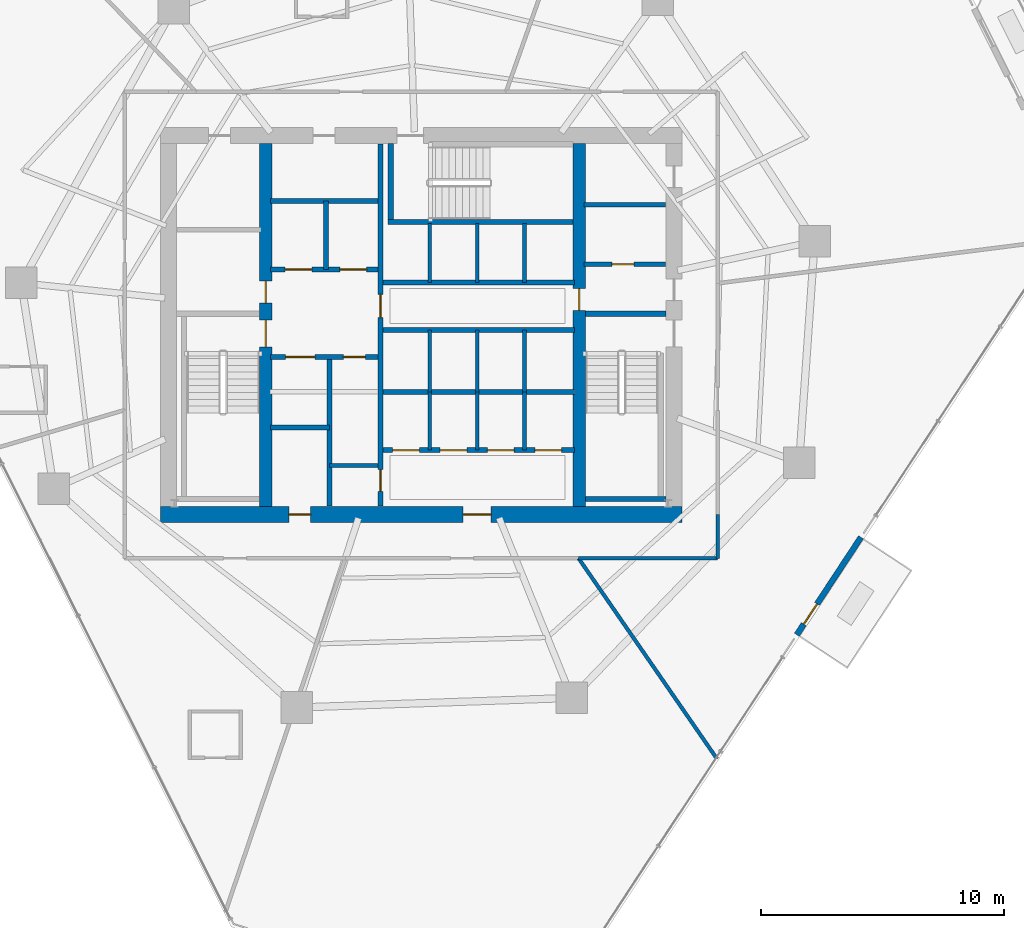
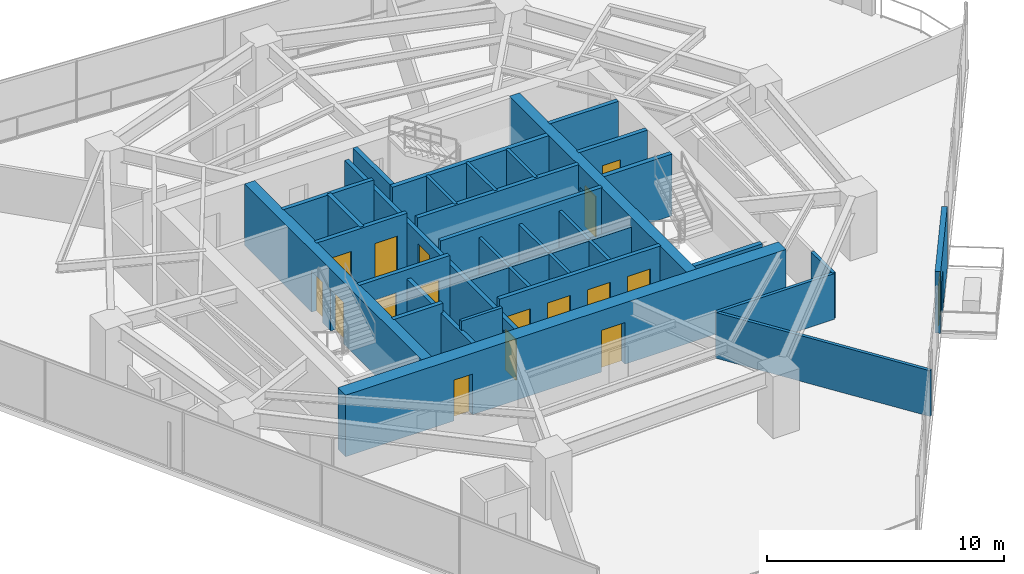
# One storey, part 24 of 28: 34 walls, 17 doors, 17 openings.
"""IFC4 building model written with IfcOpenShell, lengths in metres."""

from ifc_helpers import new_model, si_unit, direction, frame, frame_2d, origin, place, context, subcontext, project, spatial, rectangle, extrude, material, layer, layer_set, type_object, element, fill, save


model = new_model("IFC4")

# Units and contexts
model_context = context("Model", 3, precision=1e-05, world=origin(), true_north=direction((0.0, 1.0)))
body_context = subcontext(model_context, "Body", "Model", "MODEL_VIEW")
ifc_project = project(units=[si_unit("LENGTHUNIT", "METRE"), si_unit("AREAUNIT", "SQUARE_METRE"), si_unit("VOLUMEUNIT", "CUBIC_METRE"), si_unit("PLANEANGLEUNIT", "RADIAN"), si_unit("MASSUNIT", "GRAM", prefix="KILO")], contexts=[model_context])

# Site, building, storey
site_placement = place(None, origin())
site = spatial("IfcSite", under=ifc_project, at=site_placement, CompositionType="ELEMENT")
building_placement = place(site_placement, origin())
building = spatial("IfcBuilding", under=site, at=building_placement, Name="Qarnah Convention Tower", CompositionType="ELEMENT")
storey_placement = place(building_placement, frame((0.0, 0.0, 54.60009765625)))
storey = spatial("IfcBuildingStorey", under=building, at=storey_placement, Name="L13", CompositionType="ELEMENT", Elevation=54.60009765625)

# Wall, openings, doors
ifc_material_1 = material(Name="Concrete C60/75", Category="concrete")
ifc_layer_1 = layer(ifc_material_1, 0.64990234375)
ifc_layer_set_1 = layer_set([ifc_layer_1], Name="Concrete C60/75")
wall_type_1 = type_object("IfcWallType", Name="WL-CORE-650", PredefinedType="SHEAR", material=ifc_layer_set_1)
wall_1_placement = place(storey_placement, frame((26.47509765625, 18.60009765625, 0.0), z_axis=(0.0, 0.0, 1.0), x_axis=(1.0, 0.0, 0.0)))
wall_1 = element("IfcWall", 1, at=wall_1_placement, inside=storey, type_object=wall_type_1, Name="L13 core south shear wall", PredefinedType="SHEAR", context=body_context, shape_type="SweptSolid", body=[
    extrude(rectangle(XDim=21.449951171875, YDim=0.64990234375, at=frame_2d((10.72509765625, 0.0))), origin(), (0.0, 0.0, 1.0), 3.169921875),
])
opening_1_placement = place(wall_1_placement, frame((12.449951171875, 0.0, 0.0)))
opening_1 = element("IfcOpeningElement", 2, at=opening_1_placement, cuts=wall_1, Name="Opening D-1307", PredefinedType="OPENING", context=body_context, shape_type="SweptSolid", body=[
    extrude(rectangle(XDim=1.14990234375, YDim=2.14990234375, at=frame_2d((0.574951171875, 1.074951171875))), frame((0.0, 0.3349609375, 0.0), z_axis=(0.0, -1.0, 0.0), x_axis=(1.0, 0.0, 0.0)), (0.0, 0.0, 1.0), 0.669921875),
])
opening_2_placement = place(wall_1_placement, frame((5.27490234375, 0.0, 0.0)))
opening_2 = element("IfcOpeningElement", 3, at=opening_2_placement, cuts=wall_1, Name="Opening D-1313", PredefinedType="OPENING", context=body_context, shape_type="SweptSolid", body=[
    extrude(rectangle(XDim=0.89990234375, YDim=2.10009765625, at=frame_2d((0.449951171875, 1.050048828125))), frame((0.0, 0.3349609375, 0.0), z_axis=(0.0, -1.0, 0.0), x_axis=(1.0, 0.0, 0.0)), (0.0, 0.0, 1.0), 0.669921875),
])
ifc_material_2 = material(Name="Structural steel S355JR", Category="steel")
door_type_1 = type_object("IfcDoorType", Name="DT-LOBBY-1150", OperationType="NOTDEFINED", PredefinedType="DOOR", material=ifc_material_2)
door_1_placement = place(opening_1_placement, origin())
door_1 = element("IfcDoor", 4, at=door_1_placement, inside=storey, type_object=door_type_1, Name="Door D-1307", OperationType="SINGLE_SWING_LEFT", OverallHeight=2.14990234375, OverallWidth=1.14990234375, PredefinedType="DOOR", context=body_context, shape_type="SweptSolid", body=[
    extrude(rectangle(XDim=1.14990234375, YDim=2.14990234375, at=frame_2d((0.574951171875, 1.074951171875))), frame((0.0, 0.02490234375, 0.0), z_axis=(0.0, -1.0, 0.0), x_axis=(1.0, 0.0, 0.0)), (0.0, 0.0, 1.0), 0.050048828125),
])
fill(opening_1, door_1)
door_type_2 = type_object("IfcDoorType", Name="DT-RISER-900", OperationType="NOTDEFINED", PredefinedType="DOOR", material=ifc_material_2)
door_2_placement = place(opening_2_placement, origin())
door_2 = element("IfcDoor", 5, at=door_2_placement, inside=storey, type_object=door_type_2, Name="Door D-1313", OperationType="SINGLE_SWING_LEFT", OverallHeight=2.10009765625, OverallWidth=0.89990234375, PredefinedType="DOOR", context=body_context, shape_type="SweptSolid", body=[
    extrude(rectangle(XDim=0.89990234375, YDim=2.10009765625, at=frame_2d((0.449951171875, 1.050048828125))), frame((0.0, 0.02490234375, 0.0), z_axis=(0.0, -1.0, 0.0), x_axis=(1.0, 0.0, 0.0)), (0.0, 0.0, 1.0), 0.050048828125),
])
fill(opening_2, door_2)

ifc_layer_2 = layer(ifc_material_1, 0.5)
ifc_layer_set_2 = layer_set([ifc_layer_2], Name="Concrete C60/75")
wall_type_2 = type_object("IfcWallType", Name="WL-CORE-INT-400", PredefinedType="SHEAR", material=ifc_layer_set_2)
wall_2_placement = place(storey_placement, frame((30.800048828125, 18.925048828125, 0.0), z_axis=(0.0, 0.0, 1.0), x_axis=(0.0, 1.0, 0.0)))
wall_2 = element("IfcWall", 6, at=wall_2_placement, inside=storey, type_object=wall_type_2, Name="L13 core west spine shear wall", PredefinedType="SHEAR", context=body_context, shape_type="SweptSolid", body=[
    extrude(rectangle(XDim=14.949951171875, YDim=0.5, at=frame_2d((7.47509765625, 0.0))), origin(), (0.0, 0.0, 1.0), 3.169921875),
])
opening_3_placement = place(wall_2_placement, frame((6.574951171875, 0.0, 0.0)))
opening_3 = element("IfcOpeningElement", 7, at=opening_3_placement, cuts=wall_2, Name="Opening D-1301", PredefinedType="OPENING", context=body_context, shape_type="SweptSolid", body=[
    extrude(rectangle(XDim=1.10009765625, YDim=2.14990234375, at=frame_2d((0.550048828125, 1.074951171875))), frame((0.0, 0.260009765625, 0.0), z_axis=(0.0, -1.0, 0.0), x_axis=(1.0, 0.0, 0.0)), (0.0, 0.0, 1.0), 0.52001953125),
])
opening_4_placement = place(wall_2_placement, frame((8.375, 0.0, 0.0)))
opening_4 = element("IfcOpeningElement", 8, at=opening_4_placement, cuts=wall_2, Name="Opening D-1308", PredefinedType="OPENING", context=body_context, shape_type="SweptSolid", body=[
    extrude(rectangle(XDim=0.89990234375, YDim=2.10009765625, at=frame_2d((0.449951171875, 1.050048828125))), frame((0.0, 0.260009765625, 0.0), z_axis=(0.0, -1.0, 0.0), x_axis=(1.0, 0.0, 0.0)), (0.0, 0.0, 1.0), 0.52001953125),
])
door_3_placement = place(opening_4_placement, origin())
door_3 = element("IfcDoor", 9, at=door_3_placement, inside=storey, type_object=door_type_2, Name="Door D-1308", OperationType="SINGLE_SWING_RIGHT", OverallHeight=2.10009765625, OverallWidth=0.89990234375, PredefinedType="DOOR", context=body_context, shape_type="SweptSolid", body=[
    extrude(rectangle(XDim=0.89990234375, YDim=2.10009765625, at=frame_2d((0.449951171875, 1.050048828125))), frame((0.0, 0.02490234375, 0.0), z_axis=(0.0, -1.0, 0.0), x_axis=(1.0, 0.0, 0.0)), (0.0, 0.0, 1.0), 0.050048828125),
])
fill(opening_4, door_3)
door_type_3 = type_object("IfcDoorType", Name="DT-STAIR-1100", OperationType="NOTDEFINED", PredefinedType="DOOR", material=ifc_material_2)
door_4_placement = place(opening_3_placement, origin())
door_4 = element("IfcDoor", 10, at=door_4_placement, inside=storey, type_object=door_type_3, Name="Door D-1301", OperationType="SINGLE_SWING_LEFT", OverallHeight=2.14990234375, OverallWidth=1.10009765625, PredefinedType="DOOR", context=body_context, shape_type="SweptSolid", body=[
    extrude(rectangle(XDim=1.10009765625, YDim=2.14990234375, at=frame_2d((0.550048828125, 1.074951171875))), frame((0.0, 0.02490234375, 0.0), z_axis=(0.0, -1.0, 0.0), x_axis=(1.0, 0.0, 0.0)), (0.0, 0.0, 1.0), 0.050048828125),
])
fill(opening_3, door_4)

# Wall, opening, door
wall_3_placement = place(storey_placement, frame((43.699951171875, 18.925048828125, 0.0), z_axis=(0.0, 0.0, 1.0), x_axis=(0.0, 1.0, 0.0)))
wall_3 = element("IfcWall", 11, at=wall_3_placement, inside=storey, type_object=wall_type_2, Name="L13 core east spine shear wall", PredefinedType="SHEAR", context=body_context, shape_type="SweptSolid", body=[
    extrude(rectangle(XDim=14.949951171875, YDim=0.5, at=frame_2d((7.47509765625, 0.0))), origin(), (0.0, 0.0, 1.0), 3.169921875),
])
opening_5_placement = place(wall_3_placement, frame((8.074951171875, 0.0, 0.0)))
opening_5 = element("IfcOpeningElement", 12, at=opening_5_placement, cuts=wall_3, Name="Opening D-1305", PredefinedType="OPENING", context=body_context, shape_type="SweptSolid", body=[
    extrude(rectangle(XDim=0.89990234375, YDim=2.10009765625, at=frame_2d((0.449951171875, 1.050048828125))), frame((0.0, 0.260009765625, 0.0), z_axis=(0.0, -1.0, 0.0), x_axis=(1.0, 0.0, 0.0)), (0.0, 0.0, 1.0), 0.52001953125),
])
door_5_placement = place(opening_5_placement, origin())
door_5 = element("IfcDoor", 13, at=door_5_placement, inside=storey, type_object=door_type_2, Name="Door D-1305", OperationType="SINGLE_SWING_LEFT", OverallHeight=2.10009765625, OverallWidth=0.89990234375, PredefinedType="DOOR", context=body_context, shape_type="SweptSolid", body=[
    extrude(rectangle(XDim=0.89990234375, YDim=2.10009765625, at=frame_2d((0.449951171875, 1.050048828125))), frame((0.0, 0.02490234375, 0.0), z_axis=(0.0, -1.0, 0.0), x_axis=(1.0, 0.0, 0.0)), (0.0, 0.0, 1.0), 0.050048828125),
])
fill(opening_5, door_5)

ifc_material_3 = material(Name="Concrete C45/55", Category="concrete")
ifc_layer_3 = layer(ifc_material_3, 0.199951171875)
ifc_layer_set_3 = layer_set([ifc_layer_3], Name="Concrete C45/55")
wall_type_3 = type_object("IfcWallType", Name="WL-CORE-PART-200", PredefinedType="SOLIDWALL", material=ifc_layer_set_3)
wall_4_placement = place(storey_placement, frame((43.89990234375, 28.89990234375, 0.0), z_axis=(0.0, 0.0, 1.0), x_axis=(1.0, 0.0, 0.0)))
wall_4 = element("IfcWall", 14, at=wall_4_placement, inside=storey, type_object=wall_type_3, Name="L13 interior wall IW-L13-EVSTN", PredefinedType="SOLIDWALL", context=body_context, shape_type="SweptSolid", body=[
    extrude(rectangle(XDim=3.35009765625, YDim=0.199951171875, at=frame_2d((1.675048828125, 0.0))), origin(), (0.0, 0.0, 1.0), 3.169921875),
])
opening_6_placement = place(wall_4_placement, frame((1.14990234375, 0.0, 0.0)))
opening_6 = element("IfcOpeningElement", 15, at=opening_6_placement, cuts=wall_4, Name="Opening D-1311", PredefinedType="OPENING", context=body_context, shape_type="SweptSolid", body=[
    extrude(rectangle(XDim=0.89990234375, YDim=2.10009765625, at=frame_2d((0.449951171875, 1.050048828125))), frame((0.0, 0.10986328125, 0.0), z_axis=(0.0, -1.0, 0.0), x_axis=(1.0, 0.0, 0.0)), (0.0, 0.0, 1.0), 0.219970703125),
])
door_6_placement = place(opening_6_placement, origin())
door_6 = element("IfcDoor", 16, at=door_6_placement, inside=storey, type_object=door_type_2, Name="Door D-1311", OperationType="SINGLE_SWING_LEFT", OverallHeight=2.10009765625, OverallWidth=0.89990234375, PredefinedType="DOOR", context=body_context, shape_type="SweptSolid", body=[
    extrude(rectangle(XDim=0.89990234375, YDim=2.10009765625, at=frame_2d((0.449951171875, 1.050048828125))), frame((0.0, 0.02490234375, 0.0), z_axis=(0.0, -1.0, 0.0), x_axis=(1.0, 0.0, 0.0)), (0.0, 0.0, 1.0), 0.050048828125),
])
fill(opening_6, door_6)

# Wall
wall_5_placement = place(storey_placement, frame((43.89990234375, 31.35009765625, 0.0), z_axis=(0.0, 0.0, 1.0), x_axis=(1.0, 0.0, 0.0)))
element("IfcWall", 17, at=wall_5_placement, inside=storey, type_object=wall_type_3, Name="L13 interior wall IW-L13-WTRN", PredefinedType="SOLIDWALL", context=body_context, shape_type="SweptSolid", body=[
    extrude(rectangle(XDim=3.35009765625, YDim=0.199951171875, at=frame_2d((1.675048828125, 0.0))), origin(), (0.0, 0.0, 1.0), 3.169921875),
])

# Wall, openings, doors
wall_6_placement = place(storey_placement, frame((35.52001953125, 18.949951171875, 0.0), z_axis=(0.0, 0.0, 1.0), x_axis=(0.0, 1.0, 0.0)))
wall_6 = element("IfcWall", 18, at=wall_6_placement, inside=storey, type_object=wall_type_3, Name="L13 interior wall IW-L13-CSP", PredefinedType="SOLIDWALL", context=body_context, shape_type="SweptSolid", body=[
    extrude(rectangle(XDim=14.900146484375, YDim=0.199951171875, at=frame_2d((7.4501953125, 0.0))), origin(), (0.0, 0.0, 1.0), 2.69091796875),
])
opening_7_placement = place(wall_6_placement, frame((7.7548828125, 0.0, 0.0)))
opening_7 = element("IfcOpeningElement", 19, at=opening_7_placement, cuts=wall_6, Name="Opening D-1304", PredefinedType="OPENING", context=body_context, shape_type="SweptSolid", body=[
    extrude(rectangle(XDim=0.949951171875, YDim=2.14990234375, at=frame_2d((0.47509765625, 1.074951171875))), frame((0.0, 0.10986328125, 0.0), z_axis=(0.0, -1.0, 0.0), x_axis=(1.0, 0.0, 0.0)), (0.0, 0.0, 1.0), 0.219970703125),
])
opening_8_placement = place(wall_6_placement, frame((0.60009765625, 0.0, 0.0)))
opening_8 = element("IfcOpeningElement", 20, at=opening_8_placement, cuts=wall_6, Name="Opening D-1314", PredefinedType="OPENING", context=body_context, shape_type="SweptSolid", body=[
    extrude(rectangle(XDim=0.89990234375, YDim=2.10009765625, at=frame_2d((0.449951171875, 1.050048828125))), frame((0.0, 0.10986328125, 0.0), z_axis=(0.0, -1.0, 0.0), x_axis=(1.0, 0.0, 0.0)), (0.0, 0.0, 1.0), 0.219970703125),
])
ifc_material_4 = material(Name="Oak timber veneer", Category="wood")
door_type_4 = type_object("IfcDoorType", Name="DT-HOTEL-950", OperationType="NOTDEFINED", PredefinedType="DOOR", material=ifc_material_4)
door_7_placement = place(opening_7_placement, origin())
door_7 = element("IfcDoor", 21, at=door_7_placement, inside=storey, type_object=door_type_4, Name="Door D-1304", OperationType="SINGLE_SWING_RIGHT", OverallHeight=2.14990234375, OverallWidth=0.949951171875, PredefinedType="DOOR", context=body_context, shape_type="SweptSolid", body=[
    extrude(rectangle(XDim=0.949951171875, YDim=2.14990234375, at=frame_2d((0.47509765625, 1.074951171875))), frame((0.0, 0.02490234375, 0.0), z_axis=(0.0, -1.0, 0.0), x_axis=(1.0, 0.0, 0.0)), (0.0, 0.0, 1.0), 0.050048828125),
])
fill(opening_7, door_7)
door_8_placement = place(opening_8_placement, origin())
door_8 = element("IfcDoor", 22, at=door_8_placement, inside=storey, type_object=door_type_2, Name="Door D-1314", OperationType="SINGLE_SWING_RIGHT", OverallHeight=2.10009765625, OverallWidth=0.89990234375, PredefinedType="DOOR", context=body_context, shape_type="SweptSolid", body=[
    extrude(rectangle(XDim=0.89990234375, YDim=2.10009765625, at=frame_2d((0.449951171875, 1.050048828125))), frame((0.0, 0.02490234375, 0.0), z_axis=(0.0, -1.0, 0.0), x_axis=(1.0, 0.0, 0.0)), (0.0, 0.0, 1.0), 0.050048828125),
])
fill(opening_8, door_8)

wall_7_placement = place(storey_placement, frame((31.0, 28.679931640625, 0.0), z_axis=(0.0, 0.0, 1.0), x_axis=(1.0, 0.0, 0.0)))
wall_7 = element("IfcWall", 23, at=wall_7_placement, inside=storey, type_object=wall_type_3, Name="L13 interior wall IW-L13-FFLS", PredefinedType="SOLIDWALL", context=body_context, shape_type="SweptSolid", body=[
    extrude(rectangle(XDim=4.419921875, YDim=0.199951171875, at=frame_2d((2.2099609375, 0.0))), origin(), (0.0, 0.0, 1.0), 3.169921875),
])
opening_9_placement = place(wall_7_placement, frame((0.60009765625, 0.0, 0.0)))
opening_9 = element("IfcOpeningElement", 24, at=opening_9_placement, cuts=wall_7, Name="Opening LD-1301", PredefinedType="OPENING", context=body_context, shape_type="SweptSolid", body=[
    extrude(rectangle(XDim=1.10009765625, YDim=2.14990234375, at=frame_2d((0.550048828125, 1.074951171875))), frame((0.0, 0.10986328125, 0.0), z_axis=(0.0, -1.0, 0.0), x_axis=(1.0, 0.0, 0.0)), (0.0, 0.0, 1.0), 0.219970703125),
])
opening_10_placement = place(wall_7_placement, frame((2.85009765625, 0.0, 0.0)))
opening_10 = element("IfcOpeningElement", 25, at=opening_10_placement, cuts=wall_7, Name="Opening LD-1302", PredefinedType="OPENING", context=body_context, shape_type="SweptSolid", body=[
    extrude(rectangle(XDim=1.10009765625, YDim=2.14990234375, at=frame_2d((0.550048828125, 1.074951171875))), frame((0.0, 0.10986328125, 0.0), z_axis=(0.0, -1.0, 0.0), x_axis=(1.0, 0.0, 0.0)), (0.0, 0.0, 1.0), 0.219970703125),
])
door_type_5 = type_object("IfcDoorType", Name="DT-LIFT-1100", OperationType="SLIDING_TO_LEFT", PredefinedType="DOOR", material=ifc_material_2)
door_9_placement = place(opening_9_placement, origin())
door_9 = element("IfcDoor", 26, at=door_9_placement, inside=storey, type_object=door_type_5, Name="Door LD-1301", OperationType="SLIDING_TO_LEFT", OverallHeight=2.14990234375, OverallWidth=1.10009765625, PredefinedType="DOOR", context=body_context, shape_type="SweptSolid", body=[
    extrude(rectangle(XDim=1.10009765625, YDim=2.14990234375, at=frame_2d((0.550048828125, 1.074951171875))), frame((0.0, 0.02490234375, 0.0), z_axis=(0.0, -1.0, 0.0), x_axis=(1.0, 0.0, 0.0)), (0.0, 0.0, 1.0), 0.050048828125),
])
fill(opening_9, door_9)
door_10_placement = place(opening_10_placement, origin())
door_10 = element("IfcDoor", 27, at=door_10_placement, inside=storey, type_object=door_type_5, Name="Door LD-1302", OperationType="SLIDING_TO_LEFT", OverallHeight=2.14990234375, OverallWidth=1.10009765625, PredefinedType="DOOR", context=body_context, shape_type="SweptSolid", body=[
    extrude(rectangle(XDim=1.10009765625, YDim=2.14990234375, at=frame_2d((0.550048828125, 1.074951171875))), frame((0.0, 0.02490234375, 0.0), z_axis=(0.0, -1.0, 0.0), x_axis=(1.0, 0.0, 0.0)), (0.0, 0.0, 1.0), 0.050048828125),
])
fill(opening_10, door_10)

# Walls
wall_8_placement = place(storey_placement, frame((31.0, 31.5, 0.0), z_axis=(0.0, 0.0, 1.0), x_axis=(1.0, 0.0, 0.0)))
element("IfcWall", 28, at=wall_8_placement, inside=storey, type_object=wall_type_3, Name="L13 interior wall IW-L13-FFLN", PredefinedType="SOLIDWALL", context=body_context, shape_type="SweptSolid", body=[
    extrude(rectangle(XDim=4.419921875, YDim=0.199951171875, at=frame_2d((2.2099609375, 0.0))), origin(), (0.0, 0.0, 1.0), 3.169921875),
])
wall_9_placement = place(storey_placement, frame((33.280029296875, 28.679931640625, 0.0), z_axis=(0.0, 0.0, 1.0), x_axis=(0.0, 1.0, 0.0)))
element("IfcWall", 29, at=wall_9_placement, inside=storey, type_object=wall_type_3, Name="L13 interior wall IW-L13-FFLM", PredefinedType="SOLIDWALL", context=body_context, shape_type="SweptSolid", body=[
    extrude(rectangle(XDim=2.820068359375, YDim=0.199951171875, at=frame_2d((1.41015625, 0.0))), origin(), (0.0, 0.0, 1.0), 3.169921875),
])

# Wall, openings, doors
wall_10_placement = place(storey_placement, frame((31.0, 25.080078125, 0.0), z_axis=(0.0, 0.0, 1.0), x_axis=(1.0, 0.0, 0.0)))
wall_10 = element("IfcWall", 30, at=wall_10_placement, inside=storey, type_object=wall_type_3, Name="L13 interior wall IW-L13-FFLBS", PredefinedType="SOLIDWALL", context=body_context, shape_type="SweptSolid", body=[
    extrude(rectangle(XDim=4.419921875, YDim=0.199951171875, at=frame_2d((2.2099609375, 0.0))), origin(), (0.0, 0.0, 1.0), 3.169921875),
])
opening_11_placement = place(wall_10_placement, frame((3.0, 0.0, 0.0)))
opening_11 = element("IfcOpeningElement", 31, at=opening_11_placement, cuts=wall_10, Name="Opening D-1315", PredefinedType="OPENING", context=body_context, shape_type="SweptSolid", body=[
    extrude(rectangle(XDim=0.89990234375, YDim=2.10009765625, at=frame_2d((0.449951171875, 1.050048828125))), frame((0.0, 0.10986328125, 0.0), z_axis=(0.0, -1.0, 0.0), x_axis=(1.0, 0.0, 0.0)), (0.0, 0.0, 1.0), 0.219970703125),
])
opening_12_placement = place(wall_10_placement, frame((0.6201171875, 0.0, 0.0)))
opening_12 = element("IfcOpeningElement", 32, at=opening_12_placement, cuts=wall_10, Name="Opening LD-1303", PredefinedType="OPENING", context=body_context, shape_type="SweptSolid", body=[
    extrude(rectangle(XDim=1.199951171875, YDim=2.14990234375, at=frame_2d((0.60009765625, 1.074951171875))), frame((0.0, 0.10986328125, 0.0), z_axis=(0.0, -1.0, 0.0), x_axis=(1.0, 0.0, 0.0)), (0.0, 0.0, 1.0), 0.219970703125),
])
door_type_6 = type_object("IfcDoorType", Name="DT-LIFT-1200", OperationType="SLIDING_TO_LEFT", PredefinedType="DOOR", material=ifc_material_2)
door_11_placement = place(opening_12_placement, origin())
door_11 = element("IfcDoor", 33, at=door_11_placement, inside=storey, type_object=door_type_6, Name="Door LD-1303", OperationType="SLIDING_TO_LEFT", OverallHeight=2.14990234375, OverallWidth=1.199951171875, PredefinedType="DOOR", context=body_context, shape_type="SweptSolid", body=[
    extrude(rectangle(XDim=1.199951171875, YDim=2.14990234375, at=frame_2d((0.60009765625, 1.074951171875))), frame((0.0, 0.02490234375, 0.0), z_axis=(0.0, -1.0, 0.0), x_axis=(1.0, 0.0, 0.0)), (0.0, 0.0, 1.0), 0.050048828125),
])
fill(opening_12, door_11)
door_12_placement = place(opening_11_placement, origin())
door_12 = element("IfcDoor", 34, at=door_12_placement, inside=storey, type_object=door_type_2, Name="Door D-1315", OperationType="SINGLE_SWING_LEFT", OverallHeight=2.10009765625, OverallWidth=0.89990234375, PredefinedType="DOOR", context=body_context, shape_type="SweptSolid", body=[
    extrude(rectangle(XDim=0.89990234375, YDim=2.10009765625, at=frame_2d((0.449951171875, 1.050048828125))), frame((0.0, 0.02490234375, 0.0), z_axis=(0.0, -1.0, 0.0), x_axis=(1.0, 0.0, 0.0)), (0.0, 0.0, 1.0), 0.050048828125),
])
fill(opening_11, door_12)

# Walls
wall_11_placement = place(storey_placement, frame((33.419921875, 18.949951171875, 0.0), z_axis=(0.0, 0.0, 1.0), x_axis=(0.0, 1.0, 0.0)))
element("IfcWall", 35, at=wall_11_placement, inside=storey, type_object=wall_type_3, Name="L13 interior wall IW-L13-SVLE", PredefinedType="SOLIDWALL", context=body_context, shape_type="SweptSolid", body=[
    extrude(rectangle(XDim=6.130126953125, YDim=0.199951171875, at=frame_2d((3.06494140625, 0.0))), origin(), (0.0, 0.0, 1.0), 2.69091796875),
])
wall_12_placement = place(storey_placement, frame((31.0, 22.179931640625, 0.0), z_axis=(0.0, 0.0, 1.0), x_axis=(1.0, 0.0, 0.0)))
element("IfcWall", 36, at=wall_12_placement, inside=storey, type_object=wall_type_3, Name="L13 interior wall IW-L13-SVLS", PredefinedType="SOLIDWALL", context=body_context, shape_type="SweptSolid", body=[
    extrude(rectangle(XDim=2.419921875, YDim=0.199951171875, at=frame_2d((1.2099609375, 0.0))), origin(), (0.0, 0.0, 1.0), 3.169921875),
])
for number, where, z_axis, x_axis, name in (
    (37, (35.6201171875, 28.14990234375, 0.0), (0.0, 0.0, 1.0), (1.0, 0.0, 0.0), "L13 interior wall IW-L13-PHS"),
    (38, (35.6201171875, 26.199951171875, 0.0), (0.0, 0.0, 1.0), (1.0, 0.0, 0.0), "L13 interior wall IW-L13-PMN"),
):
    element("IfcWall", number, at=place(storey_placement, frame(where, z_axis=z_axis, x_axis=x_axis)), inside=storey, type_object=wall_type_3, Name=name, PredefinedType="SOLIDWALL", context=body_context, shape_type="SweptSolid", body=[
        extrude(rectangle(XDim=7.8798828125, YDim=0.199951171875, at=frame_2d((3.93994140625, 0.0))), origin(), (0.0, 0.0, 1.0), 3.169921875),
    ])
wall_13_placement = place(storey_placement, frame((35.6201171875, 23.64990234375, 0.0), z_axis=(0.0, 0.0, 1.0), x_axis=(1.0, 0.0, 0.0)))
element("IfcWall", 39, at=wall_13_placement, inside=storey, type_object=wall_type_3, Name="L13 interior wall IW-L13-PMPL", PredefinedType="SOLIDWALL", context=body_context, shape_type="SweptSolid", body=[
    extrude(rectangle(XDim=7.8798828125, YDim=0.199951171875, at=frame_2d((3.93994140625, 0.0))), origin(), (0.0, 0.0, 1.0), 2.69091796875),
])

# Wall, openings, doors
wall_14_placement = place(storey_placement, frame((35.6201171875, 21.25, 0.0), z_axis=(0.0, 0.0, 1.0), x_axis=(1.0, 0.0, 0.0)))
wall_14 = element("IfcWall", 40, at=wall_14_placement, inside=storey, type_object=wall_type_3, Name="L13 interior wall IW-L13-PLS", PredefinedType="SOLIDWALL", context=body_context, shape_type="SweptSolid", body=[
    extrude(rectangle(XDim=7.8798828125, YDim=0.199951171875, at=frame_2d((3.93994140625, 0.0))), origin(), (0.0, 0.0, 1.0), 3.169921875),
])
opening_13_placement = place(wall_14_placement, frame((0.405029296875, 0.0, 0.0)))
opening_13 = element("IfcOpeningElement", 41, at=opening_13_placement, cuts=wall_14, Name="Opening LD-1304", PredefinedType="OPENING", context=body_context, shape_type="SweptSolid", body=[
    extrude(rectangle(XDim=1.10009765625, YDim=2.14990234375, at=frame_2d((0.550048828125, 1.074951171875))), frame((0.0, 0.10986328125, 0.0), z_axis=(0.0, -1.0, 0.0), x_axis=(1.0, 0.0, 0.0)), (0.0, 0.0, 1.0), 0.219970703125),
])
opening_14_placement = place(wall_14_placement, frame((2.35498046875, 0.0, 0.0)))
opening_14 = element("IfcOpeningElement", 42, at=opening_14_placement, cuts=wall_14, Name="Opening LD-1305", PredefinedType="OPENING", context=body_context, shape_type="SweptSolid", body=[
    extrude(rectangle(XDim=1.10009765625, YDim=2.14990234375, at=frame_2d((0.550048828125, 1.074951171875))), frame((0.0, 0.10986328125, 0.0), z_axis=(0.0, -1.0, 0.0), x_axis=(1.0, 0.0, 0.0)), (0.0, 0.0, 1.0), 0.219970703125),
])
opening_15_placement = place(wall_14_placement, frame((4.304931640625, 0.0, 0.0)))
opening_15 = element("IfcOpeningElement", 43, at=opening_15_placement, cuts=wall_14, Name="Opening LD-1306", PredefinedType="OPENING", context=body_context, shape_type="SweptSolid", body=[
    extrude(rectangle(XDim=1.10009765625, YDim=2.14990234375, at=frame_2d((0.550048828125, 1.074951171875))), frame((0.0, 0.10986328125, 0.0), z_axis=(0.0, -1.0, 0.0), x_axis=(1.0, 0.0, 0.0)), (0.0, 0.0, 1.0), 0.219970703125),
])
opening_16_placement = place(wall_14_placement, frame((6.2548828125, 0.0, 0.0)))
opening_16 = element("IfcOpeningElement", 44, at=opening_16_placement, cuts=wall_14, Name="Opening LD-1307", PredefinedType="OPENING", context=body_context, shape_type="SweptSolid", body=[
    extrude(rectangle(XDim=1.10009765625, YDim=2.14990234375, at=frame_2d((0.550048828125, 1.074951171875))), frame((0.0, 0.10986328125, 0.0), z_axis=(0.0, -1.0, 0.0), x_axis=(1.0, 0.0, 0.0)), (0.0, 0.0, 1.0), 0.219970703125),
])
door_13_placement = place(opening_13_placement, origin())
door_13 = element("IfcDoor", 45, at=door_13_placement, inside=storey, type_object=door_type_5, Name="Door LD-1304", OperationType="SLIDING_TO_LEFT", OverallHeight=2.14990234375, OverallWidth=1.10009765625, PredefinedType="DOOR", context=body_context, shape_type="SweptSolid", body=[
    extrude(rectangle(XDim=1.10009765625, YDim=2.14990234375, at=frame_2d((0.550048828125, 1.074951171875))), frame((0.0, 0.02490234375, 0.0), z_axis=(0.0, -1.0, 0.0), x_axis=(1.0, 0.0, 0.0)), (0.0, 0.0, 1.0), 0.050048828125),
])
fill(opening_13, door_13)
door_14_placement = place(opening_14_placement, origin())
door_14 = element("IfcDoor", 46, at=door_14_placement, inside=storey, type_object=door_type_5, Name="Door LD-1305", OperationType="SLIDING_TO_LEFT", OverallHeight=2.14990234375, OverallWidth=1.10009765625, PredefinedType="DOOR", context=body_context, shape_type="SweptSolid", body=[
    extrude(rectangle(XDim=1.10009765625, YDim=2.14990234375, at=frame_2d((0.550048828125, 1.074951171875))), frame((0.0, 0.02490234375, 0.0), z_axis=(0.0, -1.0, 0.0), x_axis=(1.0, 0.0, 0.0)), (0.0, 0.0, 1.0), 0.050048828125),
])
fill(opening_14, door_14)
door_15_placement = place(opening_15_placement, origin())
door_15 = element("IfcDoor", 47, at=door_15_placement, inside=storey, type_object=door_type_5, Name="Door LD-1306", OperationType="SLIDING_TO_LEFT", OverallHeight=2.14990234375, OverallWidth=1.10009765625, PredefinedType="DOOR", context=body_context, shape_type="SweptSolid", body=[
    extrude(rectangle(XDim=1.10009765625, YDim=2.14990234375, at=frame_2d((0.550048828125, 1.074951171875))), frame((0.0, 0.02490234375, 0.0), z_axis=(0.0, -1.0, 0.0), x_axis=(1.0, 0.0, 0.0)), (0.0, 0.0, 1.0), 0.050048828125),
])
fill(opening_15, door_15)
door_16_placement = place(opening_16_placement, origin())
door_16 = element("IfcDoor", 48, at=door_16_placement, inside=storey, type_object=door_type_5, Name="Door LD-1307", OperationType="SLIDING_TO_LEFT", OverallHeight=2.14990234375, OverallWidth=1.10009765625, PredefinedType="DOOR", context=body_context, shape_type="SweptSolid", body=[
    extrude(rectangle(XDim=1.10009765625, YDim=2.14990234375, at=frame_2d((0.550048828125, 1.074951171875))), frame((0.0, 0.02490234375, 0.0), z_axis=(0.0, -1.0, 0.0), x_axis=(1.0, 0.0, 0.0)), (0.0, 0.0, 1.0), 0.050048828125),
])
fill(opening_16, door_16)

# Walls
ifc_layer_4 = layer(ifc_material_1, 0.219970703125)
ifc_layer_set_4 = layer_set([ifc_layer_4], Name="Concrete C60/75")
wall_type_4 = type_object("IfcWallType", Name="WL-CORE-STAIR-220", PredefinedType="SHEAR", material=ifc_layer_set_4)
for number, where, z_axis, x_axis, name in (
    (49, (43.949951171875, 26.860107421875, 0.0), (0.0, 0.0, 1.0), (1.0, 0.0, 0.0), "L13 stair shaft shear wall SW-L13-ST2N"),
    (50, (43.949951171875, 19.239990234375, 0.0), (0.0, 0.0, 1.0), (1.0, 0.0, 0.0), "L13 stair shaft shear wall SW-L13-ST2S"),
):
    element("IfcWall", number, at=place(storey_placement, frame(where, z_axis=z_axis, x_axis=x_axis)), inside=storey, type_object=wall_type_4, Name=name, PredefinedType="SHEAR", context=body_context, shape_type="SweptSolid", body=[
        extrude(rectangle(XDim=3.324951171875, YDim=0.219970703125, at=frame_2d((1.66259765625, 0.0))), origin(), (0.0, 0.0, 1.0), 3.169921875),
    ])
wall_15_placement = place(storey_placement, frame((35.840087890625, 30.639892578125, 0.0), z_axis=(0.0, 0.0, 1.0), x_axis=(1.0, 0.0, 0.0)))
element("IfcWall", 51, at=wall_15_placement, inside=storey, type_object=wall_type_4, Name="L13 stair shaft shear wall SW-L13-ST3S", PredefinedType="SHEAR", context=body_context, shape_type="SweptSolid", body=[
    extrude(rectangle(XDim=7.60986328125, YDim=0.219970703125, at=frame_2d((3.804931640625, 0.0))), origin(), (0.0, 0.0, 1.0), 3.169921875),
])
wall_16_placement = place(storey_placement, frame((35.93994140625, 30.75, 0.0), z_axis=(0.0, 0.0, 1.0), x_axis=(0.0, 1.0, 0.0)))
element("IfcWall", 52, at=wall_16_placement, inside=storey, type_object=wall_type_4, Name="L13 stair shaft shear wall SW-L13-ST3W", PredefinedType="SHEAR", context=body_context, shape_type="SweptSolid", body=[
    extrude(rectangle(XDim=3.125, YDim=0.219970703125, at=frame_2d((1.5625, 0.0))), origin(), (0.0, 0.0, 1.0), 3.169921875),
])

# Wall, opening, door
ifc_material_5 = material(Name="Precast concrete C45/55", Category="concrete")
ifc_layer_5 = layer(ifc_material_5, 0.239990234375)
ifc_layer_set_5 = layer_set([ifc_layer_5], Name="Precast concrete C45/55")
wall_type_5 = type_object("IfcWallType", Name="WL-EXT-BAL-240", PredefinedType="SOLIDWALL", material=ifc_layer_set_5)
wall_17_placement = place(storey_placement, frame((55.294921875, 17.6650390625, 0.0), z_axis=(0.0, 0.0, 1.0), x_axis=(-0.549961149928, -0.835190237952, 0.0)))
wall_17 = element("IfcWall", 53, at=wall_17_placement, inside=storey, type_object=wall_type_5, Name="L13 loggia threshold wall VN-L13", PredefinedType="SOLIDWALL", context=body_context, shape_type="SweptSolid", body=[
    extrude(rectangle(XDim=4.800048828125, YDim=0.239990234375, at=frame_2d((2.39990234375, 0.0))), origin(), (0.0, 0.0, 1.0), 3.169921875),
])
opening_17_placement = place(wall_17_placement, frame((3.280029296875, 0.0, 0.0)))
opening_17 = element("IfcOpeningElement", 54, at=opening_17_placement, cuts=wall_17, Name="Opening BD-1303", PredefinedType="OPENING", context=body_context, shape_type="SweptSolid", body=[
    extrude(rectangle(XDim=1.0, YDim=2.14990234375, at=frame_2d((0.5, 1.074951171875))), frame((0.0, 0.1298828125, 0.0), z_axis=(0.0, -1.0, 0.0), x_axis=(1.0, 0.0, 0.0)), (0.0, 0.0, 1.0), 0.260009765625),
])
ifc_material_6 = material(Name="Black anodised aluminium", Category="aluminium")
door_type_7 = type_object("IfcDoorType", Name="DT-BAL-1000", OperationType="NOTDEFINED", PredefinedType="DOOR", material=ifc_material_6)
door_17_placement = place(opening_17_placement, origin())
door_17 = element("IfcDoor", 55, at=door_17_placement, inside=storey, type_object=door_type_7, Name="L13 balcony terrace door VN-L13", OperationType="SINGLE_SWING_LEFT", OverallHeight=2.14990234375, OverallWidth=1.0, PredefinedType="DOOR", context=body_context, shape_type="SweptSolid", body=[
    extrude(rectangle(XDim=1.0, YDim=2.14990234375, at=frame_2d((0.5, 1.074951171875))), frame((0.0, 0.02490234375, 0.0), z_axis=(0.0, -1.0, 0.0), x_axis=(1.0, 0.0, 0.0)), (0.0, 0.0, 1.0), 0.050048828125),
])
fill(opening_17, door_17)

# Walls
ifc_material_7 = material(Name="Gypsum partition board")
ifc_layer_6 = layer(ifc_material_7, 0.14990234375)
ifc_layer_set_6 = layer_set([ifc_layer_6], Name="Gypsum partition board")
wall_type_6 = type_object("IfcWallType", Name="WL-SUITE-150", PredefinedType="PARTITIONING", material=ifc_layer_set_6)
wall_18_placement = place(storey_placement, frame((33.419921875, 20.6201171875, 0.0), z_axis=(0.0, 0.0, 1.0), x_axis=(1.0, 0.0, 0.0)))
element("IfcWall", 56, at=wall_18_placement, inside=storey, type_object=wall_type_6, Name="L13 interior wall IW-L13-CSV1", PredefinedType="PARTITIONING", context=body_context, shape_type="SweptSolid", body=[
    extrude(rectangle(XDim=2.0, YDim=0.14990234375, at=frame_2d((1.0, 0.0))), origin(), (0.0, 0.0, 1.0), 3.169921875),
])
for number, where, z_axis, x_axis, name in (
    (57, (37.550048828125, 28.14990234375, 0.0), (0.0, 0.0, 1.0), (0.0, 1.0, 0.0), "L13 interior wall IW-L13-PHD1"),
    (58, (39.5, 28.14990234375, 0.0), (0.0, 0.0, 1.0), (0.0, 1.0, 0.0), "L13 interior wall IW-L13-PHD2"),
    (59, (41.449951171875, 28.14990234375, 0.0), (0.0, 0.0, 1.0), (0.0, 1.0, 0.0), "L13 interior wall IW-L13-PHD3"),
):
    element("IfcWall", number, at=place(storey_placement, frame(where, z_axis=z_axis, x_axis=x_axis)), inside=storey, type_object=wall_type_6, Name=name, PredefinedType="PARTITIONING", context=body_context, shape_type="SweptSolid", body=[
        extrude(rectangle(XDim=2.43017578125, YDim=0.14990234375, at=frame_2d((1.215087890625, 0.0))), origin(), (0.0, 0.0, 1.0), 3.169921875),
    ])
for number, where, z_axis, x_axis, name in (
    (60, (37.550048828125, 23.64990234375, 0.0), (0.0, 0.0, 1.0), (0.0, 1.0, 0.0), "L13 interior wall IW-L13-PMD1"),
    (61, (39.5, 23.64990234375, 0.0), (0.0, 0.0, 1.0), (0.0, 1.0, 0.0), "L13 interior wall IW-L13-PMD2"),
    (62, (41.449951171875, 23.64990234375, 0.0), (0.0, 0.0, 1.0), (0.0, 1.0, 0.0), "L13 interior wall IW-L13-PMD3"),
):
    element("IfcWall", number, at=place(storey_placement, frame(where, z_axis=z_axis, x_axis=x_axis)), inside=storey, type_object=wall_type_6, Name=name, PredefinedType="PARTITIONING", context=body_context, shape_type="SweptSolid", body=[
        extrude(rectangle(XDim=2.550048828125, YDim=0.14990234375, at=frame_2d((1.27490234375, 0.0))), origin(), (0.0, 0.0, 1.0), 2.69091796875),
    ])
for number, where, z_axis, x_axis, name in (
    (63, (37.550048828125, 21.25, 0.0), (0.0, 0.0, 1.0), (0.0, 1.0, 0.0), "L13 interior wall IW-L13-PLD1"),
    (64, (39.5, 21.25, 0.0), (0.0, 0.0, 1.0), (0.0, 1.0, 0.0), "L13 interior wall IW-L13-PLD2"),
    (65, (41.449951171875, 21.25, 0.0), (0.0, 0.0, 1.0), (0.0, 1.0, 0.0), "L13 interior wall IW-L13-PLD3"),
):
    element("IfcWall", number, at=place(storey_placement, frame(where, z_axis=z_axis, x_axis=x_axis)), inside=storey, type_object=wall_type_6, Name=name, PredefinedType="PARTITIONING", context=body_context, shape_type="SweptSolid", body=[
        extrude(rectangle(XDim=2.39990234375, YDim=0.14990234375, at=frame_2d((1.199951171875, 0.0))), origin(), (0.0, 0.0, 1.0), 2.69091796875),
    ])
wall_19_placement = place(storey_placement, frame((49.37109375, 8.547119140625, 0.0), z_axis=(0.0, 0.0, 1.0), x_axis=(-0.568028196619, 0.823009093416, 0.0)))
element("IfcWall", 66, at=wall_19_placement, inside=storey, type_object=wall_type_6, Name="L13 interior wall IW-L13-R-28", PredefinedType="PARTITIONING", context=body_context, shape_type="SweptSolid", body=[
    extrude(rectangle(XDim=10.02783203125, YDim=0.14990234375, at=frame_2d((5.013916015625, 0.0))), origin(), (0.0, 0.0, 1.0), 2.35498046875),
])
wall_20_placement = place(storey_placement, frame((49.39990234375, 18.60009765625, 0.0), z_axis=(0.0, 0.0, 1.0), x_axis=(0.0, -1.0, 0.0)))
element("IfcWall", 67, at=wall_20_placement, inside=storey, type_object=wall_type_6, Name="L13 interior wall IW-L13-R-31", PredefinedType="PARTITIONING", context=body_context, shape_type="SweptSolid", body=[
    extrude(rectangle(XDim=1.800048828125, YDim=0.14990234375, at=frame_2d((0.89990234375, 0.0))), origin(), (0.0, 0.0, 1.0), 2.35498046875),
])
wall_21_placement = place(storey_placement, frame((49.39990234375, 16.800048828125, 0.0), z_axis=(0.0, 0.0, 1.0), x_axis=(-1.0, 0.0, 0.0)))
element("IfcWall", 68, at=wall_21_placement, inside=storey, type_object=wall_type_6, Name="L13 interior wall IW-L13-R-32", PredefinedType="PARTITIONING", context=body_context, shape_type="SweptSolid", body=[
    extrude(rectangle(XDim=5.724853515625, YDim=0.14990234375, at=frame_2d((2.8623046875, 0.0))), origin(), (0.0, 0.0, 1.0), 2.35498046875),
])

save(model, "model.ifc")
